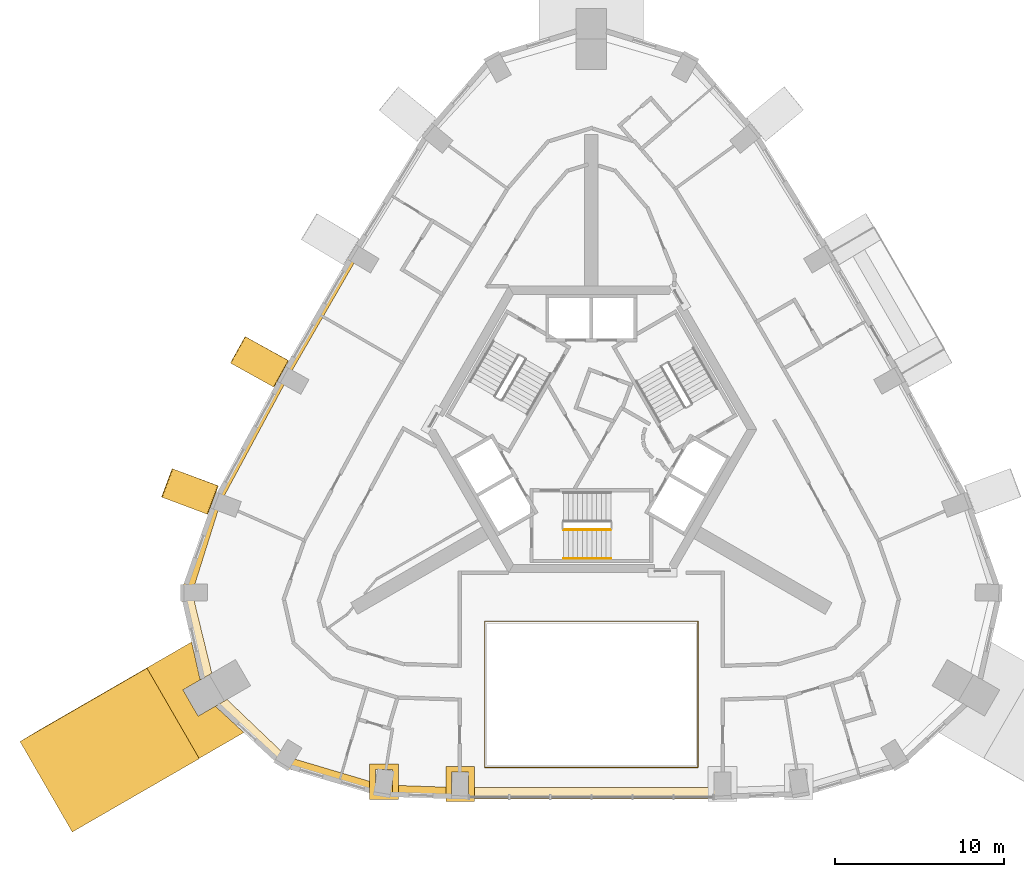
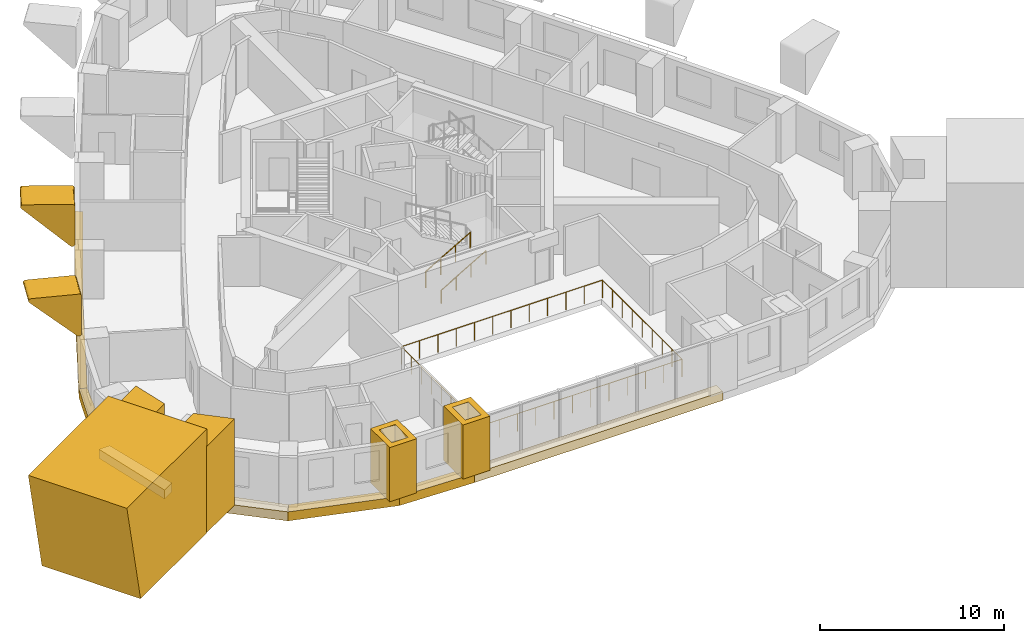
# One storey, part 9 of 11: 14 coverings, 3 railings.
"""IFC4 building model written with IfcOpenShell, lengths in metres."""

from ifc_helpers import new_model, si_unit, direction, frame, origin, origin_2d, place, context, subcontext, project, spatial, polyline, circle, outline, extrude, material, type_object, element, save


model = new_model("IFC4")

# Units and contexts
model_context = context("Model", 3, precision=1e-05, world=origin(), true_north=direction((0.0, 1.0)))
body_context = subcontext(model_context, "Body", "Model", "MODEL_VIEW")
ifc_project = project(units=[si_unit("LENGTHUNIT", "METRE"), si_unit("AREAUNIT", "SQUARE_METRE"), si_unit("VOLUMEUNIT", "CUBIC_METRE"), si_unit("PLANEANGLEUNIT", "RADIAN"), si_unit("MASSUNIT", "GRAM", prefix="KILO")], contexts=[model_context])

# Site, building, storey
site_placement = place(None, origin())
site = spatial("IfcSite", under=ifc_project, at=site_placement, CompositionType="ELEMENT")
building_placement = place(site_placement, origin())
building = spatial("IfcBuilding", under=site, at=building_placement, Name="Entoto Arch Interchange Tower", CompositionType="ELEMENT")
storey_placement = place(building_placement, frame((0.0, 0.0, 318.800048828125)))
storey = spatial("IfcBuildingStorey", under=building, at=storey_placement, Name="L75", CompositionType="ELEMENT", Elevation=318.800048828125)

# Railing
ifc_material_1 = material(Name="Stainless steel 1.4301", Category="steel")
railing_type_1 = type_object("IfcRailingType", Name="ATRIUM GUARD 1200 STEEL AND GLASS", PredefinedType="GUARDRAIL", material=ifc_material_1)
railing_1_placement = place(storey_placement, frame((6.320068359375, -17.548095703125, 0.0)))
element("IfcRailing", 1, at=railing_1_placement, inside=storey, type_object=railing_type_1, Name="Atrium guard L75", PredefinedType="GUARDRAIL", context=body_context, shape_type="SweptSolid", body=[
    extrude(circle(Radius=0.02392578125, at=origin_2d()), frame((0.0, 0.0, 1.17578125), z_axis=(-1.0, 0.0, 0.0), x_axis=(0.0, -1.0, 0.0)), (0.0, 0.0, 1.0), 12.64013671875),
    extrude(circle(Radius=0.02392578125, at=origin_2d()), frame((-12.64013671875, 0.0, 1.17578125), z_axis=(0.0, 1.0, 0.0), x_axis=(-1.0, 0.0, 0.0)), (0.0, 0.0, 1.0), 8.668212890625),
    extrude(circle(Radius=0.02392578125, at=origin_2d()), frame((-12.64013671875, 8.668212890625, 1.17578125), z_axis=(1.0, 0.0, 0.0), x_axis=(0.0, 1.0, 0.0)), (0.0, 0.0, 1.0), 12.64013671875),
    extrude(circle(Radius=0.02392578125, at=origin_2d()), frame((0.0, 8.668212890625, 1.17578125), z_axis=(0.0, -1.0, 0.0), x_axis=(1.0, 0.0, 0.0)), (0.0, 0.0, 1.0), 8.668212890625),
    extrude(circle(Radius=0.02099609375, at=origin_2d()), origin(), (0.0, 0.0, 1.0), 1.15185546875),
    extrude(circle(Radius=0.02099609375, at=origin_2d()), frame((-1.149169921875, 0.0, 0.0)), (0.0, 0.0, 1.0), 1.15185546875),
    extrude(circle(Radius=0.02099609375, at=origin_2d()), frame((-2.298095703125, 0.0, 0.0)), (0.0, 0.0, 1.0), 1.15185546875),
    extrude(circle(Radius=0.02099609375, at=origin_2d()), frame((-3.447265625, 0.0, 0.0)), (0.0, 0.0, 1.0), 1.15185546875),
    extrude(circle(Radius=0.02099609375, at=origin_2d()), frame((-4.596435546875, 0.0, 0.0)), (0.0, 0.0, 1.0), 1.15185546875),
    extrude(circle(Radius=0.02099609375, at=origin_2d()), frame((-5.74560546875, 0.0, 0.0)), (0.0, 0.0, 1.0), 1.15185546875),
    extrude(circle(Radius=0.02099609375, at=origin_2d()), frame((-6.89453125, 0.0, 0.0)), (0.0, 0.0, 1.0), 1.15185546875),
    extrude(circle(Radius=0.02099609375, at=origin_2d()), frame((-8.043701171875, 0.0, 0.0)), (0.0, 0.0, 1.0), 1.15185546875),
    extrude(circle(Radius=0.02099609375, at=origin_2d()), frame((-9.19287109375, 0.0, 0.0)), (0.0, 0.0, 1.0), 1.15185546875),
    extrude(circle(Radius=0.02099609375, at=origin_2d()), frame((-10.342041015625, 0.0, 0.0)), (0.0, 0.0, 1.0), 1.15185546875),
    extrude(circle(Radius=0.02099609375, at=origin_2d()), frame((-11.490966796875, 0.0, 0.0)), (0.0, 0.0, 1.0), 1.15185546875),
    extrude(circle(Radius=0.02099609375, at=origin_2d()), frame((-12.64013671875, 0.0, 0.0)), (0.0, 0.0, 1.0), 1.15185546875),
    extrude(circle(Radius=0.02099609375, at=origin_2d()), frame((-12.64013671875, 1.08349609375, 0.0)), (0.0, 0.0, 1.0), 1.15185546875),
    extrude(circle(Radius=0.02099609375, at=origin_2d()), frame((-12.64013671875, 2.1669921875, 0.0)), (0.0, 0.0, 1.0), 1.15185546875),
    extrude(circle(Radius=0.02099609375, at=origin_2d()), frame((-12.64013671875, 3.25048828125, 0.0)), (0.0, 0.0, 1.0), 1.15185546875),
    extrude(circle(Radius=0.02099609375, at=origin_2d()), frame((-12.64013671875, 4.333984375, 0.0)), (0.0, 0.0, 1.0), 1.15185546875),
    extrude(circle(Radius=0.02099609375, at=origin_2d()), frame((-12.64013671875, 5.417724609375, 0.0)), (0.0, 0.0, 1.0), 1.15185546875),
    extrude(circle(Radius=0.02099609375, at=origin_2d()), frame((-12.64013671875, 6.501220703125, 0.0)), (0.0, 0.0, 1.0), 1.15185546875),
    extrude(circle(Radius=0.02099609375, at=origin_2d()), frame((-12.64013671875, 7.584716796875, 0.0)), (0.0, 0.0, 1.0), 1.15185546875),
    extrude(circle(Radius=0.02099609375, at=origin_2d()), frame((-12.64013671875, 8.668212890625, 0.0)), (0.0, 0.0, 1.0), 1.15185546875),
    extrude(circle(Radius=0.02099609375, at=origin_2d()), frame((-11.490966796875, 8.668212890625, 0.0)), (0.0, 0.0, 1.0), 1.15185546875),
    extrude(circle(Radius=0.02099609375, at=origin_2d()), frame((-10.342041015625, 8.668212890625, 0.0)), (0.0, 0.0, 1.0), 1.15185546875),
    extrude(circle(Radius=0.02099609375, at=origin_2d()), frame((-9.19287109375, 8.668212890625, 0.0)), (0.0, 0.0, 1.0), 1.15185546875),
    extrude(circle(Radius=0.02099609375, at=origin_2d()), frame((-8.043701171875, 8.668212890625, 0.0)), (0.0, 0.0, 1.0), 1.15185546875),
    extrude(circle(Radius=0.02099609375, at=origin_2d()), frame((-6.89453125, 8.668212890625, 0.0)), (0.0, 0.0, 1.0), 1.15185546875),
    extrude(circle(Radius=0.02099609375, at=origin_2d()), frame((-5.74560546875, 8.668212890625, 0.0)), (0.0, 0.0, 1.0), 1.15185546875),
    extrude(circle(Radius=0.02099609375, at=origin_2d()), frame((-4.596435546875, 8.668212890625, 0.0)), (0.0, 0.0, 1.0), 1.15185546875),
    extrude(circle(Radius=0.02099609375, at=origin_2d()), frame((-3.447265625, 8.668212890625, 0.0)), (0.0, 0.0, 1.0), 1.15185546875),
    extrude(circle(Radius=0.02099609375, at=origin_2d()), frame((-2.298095703125, 8.668212890625, 0.0)), (0.0, 0.0, 1.0), 1.15185546875),
    extrude(circle(Radius=0.02099609375, at=origin_2d()), frame((-1.149169921875, 8.668212890625, 0.0)), (0.0, 0.0, 1.0), 1.15185546875),
    extrude(circle(Radius=0.02099609375, at=origin_2d()), frame((0.0, 8.668212890625, 0.0)), (0.0, 0.0, 1.0), 1.15185546875),
    extrude(circle(Radius=0.02099609375, at=origin_2d()), frame((0.0, 7.584716796875, 0.0)), (0.0, 0.0, 1.0), 1.15185546875),
    extrude(circle(Radius=0.02099609375, at=origin_2d()), frame((0.0, 6.501220703125, 0.0)), (0.0, 0.0, 1.0), 1.15185546875),
    extrude(circle(Radius=0.02099609375, at=origin_2d()), frame((0.0, 5.417724609375, 0.0)), (0.0, 0.0, 1.0), 1.15185546875),
    extrude(circle(Radius=0.02099609375, at=origin_2d()), frame((0.0, 4.333984375, 0.0)), (0.0, 0.0, 1.0), 1.15185546875),
    extrude(circle(Radius=0.02099609375, at=origin_2d()), frame((0.0, 3.25048828125, 0.0)), (0.0, 0.0, 1.0), 1.15185546875),
    extrude(circle(Radius=0.02099609375, at=origin_2d()), frame((0.0, 2.1669921875, 0.0)), (0.0, 0.0, 1.0), 1.15185546875),
    extrude(circle(Radius=0.02099609375, at=origin_2d()), frame((0.0, 1.08349609375, 0.0)), (0.0, 0.0, 1.0), 1.15185546875),
])

# Coverings
ifc_material_2 = material(Name="Board-marked precast concrete C50/60", Category="concrete")
covering_type_1 = type_object("IfcCoveringType", Name="PRECAST FRAME COURSE", PredefinedType="CLADDING", material=ifc_material_2)
covering_1_placement = place(storey_placement, frame((0.0, 0.0, -0.340087890625)))
element("IfcCovering", 2, at=covering_1_placement, inside=storey, type_object=covering_type_1, Name="Corner pilaster SW L75-L76", PredefinedType="CLADDING", context=body_context, shape_type="SweptSolid", body=[
    extrude(outline(polyline([(-23.264892578125, -17.011962890625), (-26.364990234375, -11.64208984375), (-23.7099609375, -10.110107421875), (-23.202880859375, -12.35693359375), (-24.22509765625, -12.947998046875), (-23.324951171875, -14.506103515625), (-22.302978515625, -13.916015625), (-20.610107421875, -15.47900390625), (-23.264892578125, -17.011962890625)])), origin(), (0.0, 0.0, 1.0), 5.739990234375),
])
covering_2_placement = place(storey_placement, frame((-26.364990234375, -11.64208984375, -0.340087890625), z_axis=(-0.499997093867, 0.866021908662, 0.002993299411), x_axis=(-0.866025788301, -0.499999333997, 6.4359e-08)))
element("IfcCovering", 3, at=covering_2_placement, inside=storey, type_object=covering_type_1, Name="Corner rib SW L75-L76", PredefinedType="CLADDING", context=body_context, shape_type="SweptSolid", body=[
    extrude(outline(polyline([(0.0, 0.0), (7.175523584484368, 1.734723475976807e-18), (8.699871254366363, 6.939971936924822), (-0.0006028758815850783, 6.93997295869938), (0.0, 0.0)])), origin(), (0.0, 0.0, -1.0), 6.199951171875),
])
covering_3_placement = place(storey_placement, frame((-18.169921875, 6.7060546875, 3.837890625), z_axis=(0.485641354461, 0.874153429388, 0.00287345197), x_axis=(0.715798947711, -0.395775390177, -0.575320525434)))
element("IfcCovering", 4, at=covering_3_placement, inside=storey, type_object=covering_type_1, Name="Fold rib NW03 L75-L76", PredefinedType="CLADDING", context=body_context, shape_type="SweptSolid", body=[
    extrude(outline(polyline([(0.0, 0.0), (0.04328453058251752, -3.469446951953614e-18), (0.08504019731760172, -0.013549426308011325), (0.12187594051268524, -0.03677252032099652), (0.1484652962344466, -0.0703998139321327), (0.16577057415046084, -0.1094361200139532), (0.1714981841754707, -0.15376240857405724), (0.16395895980249545, -0.19621781325266785), (0.15182765097000275, -0.22290335249545273), (-1.2962997694585094, -2.281721681965057), (-1.3149737036911222, -2.304107175529643), (-1.3382208442817636, -2.3217833152908716), (-1.3647898701416636, -2.3350319655294762), (-1.3928306355319007, -2.343366086880988), (-1.4224645240216824, -2.3458041744996967), (-1.451728962630922, -2.342235172684655), (-1.4791725345066098, -2.332780123103479), (-1.504889754233826, -2.31827408445702), (-3.679028023835345, -0.7889981293850581), (-3.7016456053124314, -0.7695083530783318), (-3.7197813061096854, -0.7457076116985393), (-3.7326242580197517, -0.7196580273032205), (-3.7403465249353776, -0.6909447506091981), (-3.7429513800099645, -0.6610562434529301), (-3.7387255637086403, -0.6308953641149677), (-3.7291523793529864, -0.6036013223818777), (-3.713835208323127, -0.5776622636151749), (-3.693513915825551, -0.5552428974142671), (-3.66934916296103, -0.5379108803554549), (-3.642396329406379, -0.5252294338540655), (-3.6137352538013, -0.5185276606339702), (0.0, 0.0)])), origin(), (0.0, 0.0, -1.0), 1.800048828125),
])
covering_4_placement = place(storey_placement, frame((-22.35498046875, -0.756103515625, 3.83984375), z_axis=(0.350825514365, 0.93643601089, 0.003009315329), x_axis=(0.772928739653, -0.287752050528, -0.565490867154)))
element("IfcCovering", 5, at=covering_4_placement, inside=storey, type_object=covering_type_1, Name="Fold rib NW04 L75-L76", PredefinedType="CLADDING", context=body_context, shape_type="SweptSolid", body=[
    extrude(outline(polyline([(0.0, 0.0), (0.04403516160633025, -3.469446951953614e-18), (0.08534661905110719, -0.011451203058235986), (0.12223764128382783, -0.03556409872835234), (0.14256191243173114, -0.056603670239314334), (0.1634447309152871, -0.09400917626970196), (0.17311629067926654, -0.13705282870731572), (0.17081613646474497, -0.18017469826372462), (0.15495950058726005, -0.22169448420938273), (-1.2665692991064113, -2.2963052260489145), (-1.2855438025901285, -2.3185215638429666), (-1.3083527947460072, -2.3366285891863763), (-1.3346017056464508, -2.3503036622673585), (-1.3623561064794045, -2.359099956658453), (-1.3925447950935108, -2.3614919666264127), (-1.4215064215054625, -2.35850700784871), (-1.4489452591741612, -2.349460946373946), (-1.4754641892864033, -2.334828774176052), (-3.6489695946584595, -0.8445622504364798), (-3.671139280636808, -0.8258098636731779), (-3.6896687809661066, -0.8021526803779406), (-3.702891647891832, -0.7762132797996699), (-3.7115430866826813, -0.7471939483563266), (-3.713623348154579, -0.717939538889792), (-3.7103275701949134, -0.6885246949065504), (-3.701106806203384, -0.6599174176382776), (-3.685916147379987, -0.6339221944301972), (-3.66694164389627, -0.6117058566361444), (-3.643239779224335, -0.593913765676013), (-3.6163741143953123, -0.5809563364835815), (-3.587395189172618, -0.5730014138743351), (0.0, 0.0)])), origin(), (0.0, 0.0, -1.0), 1.800048828125),
])
covering_5_placement = place(storey_placement, frame((0.0, 0.0, -0.340087890625)))
element("IfcCovering", 6, at=covering_5_placement, inside=storey, type_object=covering_type_1, Name="Gate pier L75", PredefinedType="CLADDING", context=body_context, shape_type="SweptSolid", body=[
    extrude(outline(polyline([(-13.14697265625, -17.3349609375), (-11.447021484375, -17.3349609375), (-11.447021484375, -19.43505859375), (-13.14697265625, -19.43505859375), (-13.14697265625, -17.3349609375)]), holes=[polyline([(-12.797119140625, -17.68505859375), (-12.797119140625, -19.0849609375), (-11.797119140625, -19.0849609375), (-11.797119140625, -17.68505859375), (-12.797119140625, -17.68505859375)])]), origin(), (0.0, 0.0, 1.0), 3.60009765625),
])
covering_6_placement = place(storey_placement, frame((0.0, 0.0, -0.340087890625)))
element("IfcCovering", 7, at=covering_6_placement, inside=storey, type_object=covering_type_1, Name="Gate pier L75", PredefinedType="CLADDING", context=body_context, shape_type="SweptSolid", body=[
    extrude(outline(polyline([(-8.632080078125, -17.47802734375), (-6.931884765625, -17.47802734375), (-6.931884765625, -19.577880859375), (-8.632080078125, -19.577880859375), (-8.632080078125, -17.47802734375)]), holes=[polyline([(-8.281982421875, -17.827880859375), (-8.281982421875, -19.22802734375), (-7.281982421875, -19.22802734375), (-7.281982421875, -17.827880859375), (-8.281982421875, -17.827880859375)])]), origin(), (0.0, 0.0, 1.0), 3.60009765625),
])
covering_type_2 = type_object("IfcCoveringType", Name="PRECAST LEDGE COURSE", PredefinedType="CLADDING", material=ifc_material_2)
covering_7_placement = place(storey_placement, frame((0.0, 0.0, -0.93994140625)))
element("IfcCovering", 8, at=covering_7_placement, inside=storey, type_object=covering_type_2, Name="Precast course S-01 L75", PredefinedType="CLADDING", context=body_context, shape_type="SweptSolid", body=[
    extrude(outline(polyline([(-7.800048828125, -18.74609375), (-7.800048828125, -19.427978515625), (-12.447998046875, -19.27197265625), (-12.447998046875, -18.5810546875), (-7.800048828125, -18.74609375)])), origin(), (0.0, 0.0, 1.0), 0.599853515625),
])
covering_8_placement = place(storey_placement, frame((0.0, 0.0, -0.93994140625)))
element("IfcCovering", 9, at=covering_8_placement, inside=storey, type_object=covering_type_2, Name="Precast course S-02 L75", PredefinedType="CLADDING", context=body_context, shape_type="SweptSolid", body=[
    extrude(outline(polyline([(7.800048828125, -18.74609375), (7.800048828125, -19.427978515625), (-7.800048828125, -19.427978515625), (-7.800048828125, -18.74609375), (7.800048828125, -18.74609375)])), origin(), (0.0, 0.0, 1.0), 0.599853515625),
])
covering_9_placement = place(storey_placement, frame((0.0, 0.0, -0.93994140625)))
element("IfcCovering", 10, at=covering_9_placement, inside=storey, type_object=covering_type_2, Name="Precast course NW-02 L75", PredefinedType="CLADDING", context=body_context, shape_type="SweptSolid", body=[
    extrude(outline(polyline([(-17.990966796875, 5.577880859375), (-18.385986328125, 5.797119140625), (-14.212890625, 13.02392578125), (-13.825927734375, 12.7919921875), (-17.990966796875, 5.577880859375)])), origin(), (0.0, 0.0, 1.0), 0.599853515625),
])
covering_10_placement = place(storey_placement, frame((0.0, 0.0, -0.93994140625)))
element("IfcCovering", 11, at=covering_10_placement, inside=storey, type_object=covering_type_2, Name="Precast course NW-03 L75", PredefinedType="CLADDING", context=body_context, shape_type="SweptSolid", body=[
    extrude(outline(polyline([(-21.99609375, -1.85205078125), (-22.43310546875, -1.68798828125), (-18.385986328125, 5.797119140625), (-17.990966796875, 5.577880859375), (-21.99609375, -1.85205078125)])), origin(), (0.0, 0.0, 1.0), 0.599853515625),
])
covering_11_placement = place(storey_placement, frame((0.0, 0.0, -0.93994140625)))
element("IfcCovering", 12, at=covering_11_placement, inside=storey, type_object=covering_type_2, Name="Precast course SW-01 L75", PredefinedType="CLADDING", context=body_context, shape_type="SweptSolid", body=[
    extrude(outline(polyline([(-23.675048828125, -7.181884765625), (-24.365966796875, -7.198974609375), (-22.43310546875, -1.68798828125), (-21.99609375, -1.85205078125), (-23.675048828125, -7.181884765625)])), origin(), (0.0, 0.0, 1.0), 0.599853515625),
])
covering_12_placement = place(storey_placement, frame((0.0, 0.0, -0.93994140625)))
element("IfcCovering", 13, at=covering_12_placement, inside=storey, type_object=covering_type_2, Name="Precast course SW-02 L75", PredefinedType="CLADDING", context=body_context, shape_type="SweptSolid", body=[
    extrude(outline(polyline([(-22.510986328125, -11.9580078125), (-23.202880859375, -12.35791015625), (-24.365966796875, -7.198974609375), (-23.675048828125, -7.181884765625), (-22.510986328125, -11.9580078125)])), origin(), (0.0, 0.0, 1.0), 0.599853515625),
])
covering_13_placement = place(storey_placement, frame((0.0, 0.0, -0.93994140625)))
element("IfcCovering", 14, at=covering_13_placement, inside=storey, type_object=covering_type_2, Name="Precast course SW-03 L75", PredefinedType="CLADDING", context=body_context, shape_type="SweptSolid", body=[
    extrude(outline(polyline([(-18.05810546875, -16.910888671875), (-18.41796875, -17.501953125), (-22.302978515625, -13.916015625), (-21.611083984375, -13.51708984375), (-18.05810546875, -16.910888671875)])), origin(), (0.0, 0.0, 1.0), 0.599853515625),
])
covering_14_placement = place(storey_placement, frame((0.0, 0.0, -0.93994140625)))
element("IfcCovering", 15, at=covering_14_placement, inside=storey, type_object=covering_type_2, Name="Precast course SW-04 L75", PredefinedType="CLADDING", context=body_context, shape_type="SweptSolid", body=[
    extrude(outline(polyline([(-12.447998046875, -18.5810546875), (-12.447998046875, -19.27197265625), (-18.41796875, -17.501953125), (-18.05810546875, -16.910888671875), (-12.447998046875, -18.5810546875)])), origin(), (0.0, 0.0, 1.0), 0.599853515625),
])

# Railings
railing_type_2 = type_object("IfcRailingType", Name="STAIR GUARD 1100 STEEL", PredefinedType="GUARDRAIL", material=ifc_material_1)
railing_2_placement = place(storey_placement, frame((-1.64990234375, -3.449951171875, 0.16357421875)))
element("IfcRailing", 16, at=railing_2_placement, inside=storey, type_object=railing_type_2, Name="L75 ST-S stair guard 1", PredefinedType="GUARDRAIL", context=body_context, shape_type="SweptSolid", body=[
    extrude(circle(Radius=0.02392578125, at=origin_2d()), frame((0.0, 0.0, 1.076171875), z_axis=(0.863341702679, 0.0, 0.504619762213), x_axis=(0.0, 1.0, 0.0)), (0.0, 0.0, 1.0), 3.242919921875),
    extrude(circle(Radius=0.02099609375, at=origin_2d()), origin(), (0.0, 0.0, 1.0), 1.052001953125),
    extrude(circle(Radius=0.02099609375, at=origin_2d()), frame((0.933349609375, 0.0, 0.54541015625)), (0.0, 0.0, 1.0), 1.052001953125),
    extrude(circle(Radius=0.02099609375, at=origin_2d()), frame((1.866455078125, 0.0, 1.091064453125)), (0.0, 0.0, 1.0), 1.052001953125),
    extrude(circle(Radius=0.02099609375, at=origin_2d()), frame((2.7998046875, 0.0, 1.636474609375)), (0.0, 0.0, 1.0), 1.052001953125),
])
railing_type_3 = type_object("IfcRailingType", Name="STAIR HANDRAIL 900 STEEL", PredefinedType="HANDRAIL", material=ifc_material_1)
railing_3_placement = place(storey_placement, frame((-1.64990234375, -5.14990234375, 0.16357421875)))
element("IfcRailing", 17, at=railing_3_placement, inside=storey, type_object=railing_type_3, Name="L75 ST-S stair handrail 1", PredefinedType="HANDRAIL", context=body_context, shape_type="SweptSolid", body=[
    extrude(circle(Radius=0.02392578125, at=origin_2d()), frame((0.0, 0.0, 0.8759765625), z_axis=(0.863341702679, 0.0, 0.504619762213), x_axis=(0.0, 1.0, 0.0)), (0.0, 0.0, 1.0), 3.242919921875),
    extrude(circle(Radius=0.02099609375, at=origin_2d()), origin(), (0.0, 0.0, 1.0), 0.851806640625),
    extrude(circle(Radius=0.02099609375, at=origin_2d()), frame((0.933349609375, 0.0, 0.54541015625)), (0.0, 0.0, 1.0), 0.851806640625),
    extrude(circle(Radius=0.02099609375, at=origin_2d()), frame((1.866455078125, 0.0, 1.091064453125)), (0.0, 0.0, 1.0), 0.851806640625),
    extrude(circle(Radius=0.02099609375, at=origin_2d()), frame((2.7998046875, 0.0, 1.636474609375)), (0.0, 0.0, 1.0), 0.851806640625),
])

save(model, "model.ifc")
